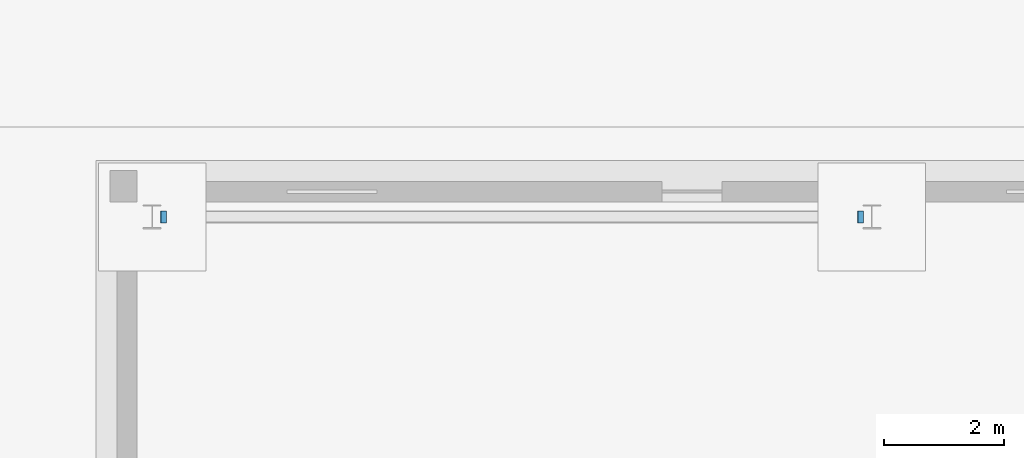
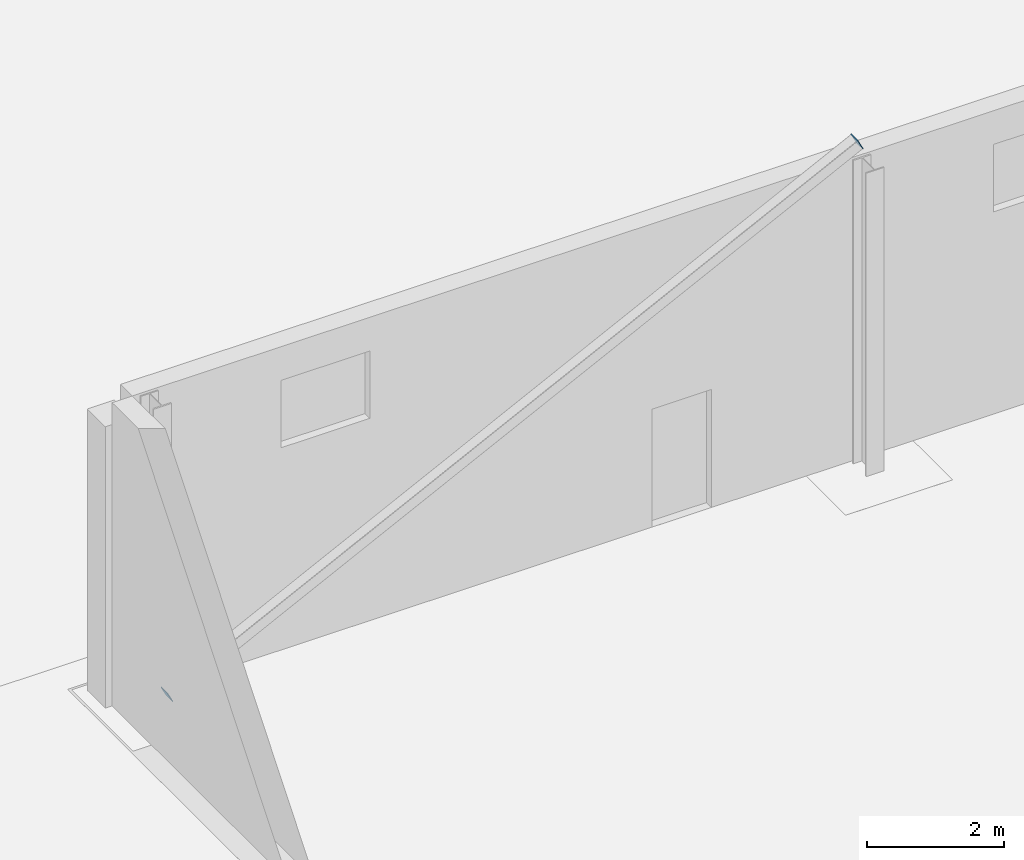
# One storey, part 116 of 132: 2 discrete accessories.
"""IFC4 building model written with IfcOpenShell, lengths in metres."""

import ifcopenshell
import ifcopenshell.guid

model = None  # the IFC model being written
_history = None  # IfcOwnerHistory: only IFC2X3 demands one
_inside = {}  # id of a spatial element -> (the spatial element, [elements in it])
_under = {}  # id of a project, library or spatial element -> (it, [spatial elements below it])
_declared = {}  # id of a project -> (the project, [libraries it declares])
_typed = {}  # id of a type object -> (the type object, [elements of that type])
_made_of = {}  # id of a material, layer set ... -> (it, [elements and type objects made of it])


def new_model(schema):
    """Start an empty IFC model of exactly this schema.

    Asked for "IFC4X3", IfcOpenShell would pick the latest addendum, in which some entities
    have other attributes; the version numbers below select the first issue.
    IFC2X3 requires an IfcOwnerHistory on every rooted entity: one is made here for all.
    """
    global model, _history
    if schema == "IFC4X3":
        model = ifcopenshell.file(schema_version=(4, 3, 0, 0))
    else:
        model = ifcopenshell.file(schema=schema)
    _inside.clear()
    _under.clear()
    _declared.clear()
    _typed.clear()
    _made_of.clear()
    _history = None
    if model.schema == "IFC2X3":
        org = make("IfcOrganization", Name="unknown")
        user = make(
            "IfcPersonAndOrganization",
            ThePerson=make("IfcPerson", FamilyName="unknown"),
            TheOrganization=org,
        )
        app = make(
            "IfcApplication",
            ApplicationDeveloper=org,
            Version="unknown",
            ApplicationFullName="unknown",
            ApplicationIdentifier="unknown",
        )
        _history = make(
            "IfcOwnerHistory",
            OwningUser=user,
            OwningApplication=app,
            ChangeAction="ADDED",
            CreationDate=0,
        )
    return model


def make(cls, **values):
    """One entity of the class cls with the attributes given. An attribute that is None is left unset."""
    return model.create_entity(
        cls, **{name: value for name, value in values.items() if value is not None}
    )


def rooted(cls, **values):
    """An entity with a GlobalId (a new one), such as an element, a storey or a relation."""
    return make(cls, GlobalId=ifcopenshell.guid.new(), OwnerHistory=_history, **values)


def si_unit(unit_type, name, prefix=None):
    """IfcSIUnit, for example si_unit("LENGTHUNIT", "METRE", prefix="MILLI")."""
    return make("IfcSIUnit", UnitType=unit_type, Prefix=prefix, Name=name)


def assignment(units):
    """IfcUnitAssignment: the units of a project."""
    return None if units is None else make("IfcUnitAssignment", Units=units)


def point(xyz):
    """IfcCartesianPoint."""
    return None if xyz is None else make("IfcCartesianPoint", Coordinates=xyz)


def direction(xyz):
    """IfcDirection."""
    return None if xyz is None else make("IfcDirection", DirectionRatios=xyz)


def frame(location, z_axis=None, x_axis=None):
    """IfcAxis2Placement3D, a coordinate frame: its origin and axes. An axis left out is left unset."""
    return make(
        "IfcAxis2Placement3D",
        Location=point(location),
        Axis=direction(z_axis),
        RefDirection=direction(x_axis),
    )


def frame_2d(location, x_axis=None):
    """IfcAxis2Placement2D, a coordinate frame in the plane: its origin and x axis."""
    return make(
        "IfcAxis2Placement2D", Location=point(location), RefDirection=direction(x_axis)
    )


def origin():
    """The frame at (0, 0, 0) with its axes left unset."""
    return frame((0.0, 0.0, 0.0))


def origin_2d():
    """The frame at (0, 0) in the plane with its x axis left unset."""
    return frame_2d((0.0, 0.0))


def place(relative_to, where):
    """IfcLocalPlacement: puts the frame where relative to a parent placement (None: the world)."""
    return make(
        "IfcLocalPlacement", PlacementRelTo=relative_to, RelativePlacement=where
    )


def context(
    kind, dimensions, precision=None, world=None, true_north=None, identifier=None
):
    """IfcGeometricRepresentationContext, for example the 3D "Model" context."""
    return make(
        "IfcGeometricRepresentationContext",
        ContextIdentifier=identifier,
        ContextType=kind,
        CoordinateSpaceDimension=dimensions,
        Precision=precision,
        WorldCoordinateSystem=world,
        TrueNorth=true_north,
    )


def subcontext(parent, identifier, kind, view, scale=None):
    """IfcGeometricRepresentationSubContext, for example "Body" below "Model"."""
    return make(
        "IfcGeometricRepresentationSubContext",
        ContextIdentifier=identifier,
        ContextType=kind,
        ParentContext=parent,
        TargetScale=scale,
        TargetView=view,
    )


def project(units=None, contexts=None):
    """IfcProject with its units and contexts."""
    return rooted(
        "IfcProject",
        Name="project",
        RepresentationContexts=contexts,
        UnitsInContext=assignment(units),
    )


def spatial(cls, under=None, at=None, **own):
    """A site, building, storey or space (cls), placed at a placement, below another one or the project."""
    s = rooted(cls, ObjectPlacement=at, **own)
    if under is not None:
        _under.setdefault(under.id(), (under, []))[1].append(s)
    return s


def profile(cls, at=None, kind="AREA", **sizes):
    """A parametric profile (cls). Its sizes go by their IFC names, for example OverallWidth=200.0."""
    return make(cls, ProfileType=kind, Position=at, **sizes)


def rectangle(**sizes):
    """IfcRectangleProfileDef."""
    return profile("IfcRectangleProfileDef", **sizes)


def extrude(swept, where, along, depth):
    """IfcExtrudedAreaSolid: the profile swept, set in the frame where, extruded along a direction by depth."""
    return make(
        "IfcExtrudedAreaSolid",
        SweptArea=swept,
        Position=where,
        ExtrudedDirection=direction(along),
        Depth=depth,
    )


def shape(context_of_items, identifier, shape_type, items):
    """IfcShapeRepresentation: the items that make up one representation, for example the "Body"."""
    return make(
        "IfcShapeRepresentation",
        ContextOfItems=context_of_items,
        RepresentationIdentifier=identifier,
        RepresentationType=shape_type,
        Items=items,
    )


def material(Name=None, Category=None):
    """IfcMaterial."""
    return make("IfcMaterial", Name=Name, Category=Category)


def material_profile(
    of_material, cross_section, Name=None, Category=None, Priority=None
):
    """IfcMaterialProfile: a cross section and its material."""
    return make(
        "IfcMaterialProfile",
        Name=Name,
        Material=of_material,
        Profile=cross_section,
        Priority=Priority,
        Category=Category,
    )


def profile_set(profiles, Name=None, composite=None):
    """IfcMaterialProfileSet."""
    return make(
        "IfcMaterialProfileSet",
        Name=Name,
        MaterialProfiles=profiles,
        CompositeProfile=composite,
    )


def made_of(thing, what):
    """Note that an element or type object is made of a material, layer set ...; save() writes the relation."""
    if what is not None:
        _made_of.setdefault(what.id(), (what, []))[1].append(thing)
    return thing


def type_object(cls, material=None, **own):
    """A type object (cls), such as IfcWallType, which elements share."""
    return made_of(rooted(cls, **own), material)


def element(
    cls,
    number,
    at=None,
    inside=None,
    cuts=None,
    type_object=None,
    material=None,
    context=None,
    identifier="Body",
    shape_type=None,
    held_by="IfcProductDefinitionShape",
    body=None,
    shapes=None,
    **own,
):
    """One element of the class cls, such as IfcWall. Its Tag is "e" and its number.

    at: its placement. inside: the storey or other place that contains it. cuts: it is an
    opening in that element (IfcRelVoidsElement). A single representation is given by context,
    identifier, shape_type and body (its items); several are given by shapes. held_by: the class
    of the entity that holds the representations. save() writes the other relations.
    """
    e = rooted(cls, Tag="e%d" % number, ObjectPlacement=at, **own)
    if body is not None:
        shapes = [shape(context, identifier, shape_type, body)]
    if shapes is not None:
        e.Representation = make(held_by, Representations=shapes)
    if inside is not None:
        _inside.setdefault(inside.id(), (inside, []))[1].append(e)
    if cuts is not None:
        rooted(
            "IfcRelVoidsElement", RelatingBuildingElement=cuts, RelatedOpeningElement=e
        )
    if type_object is not None:
        _typed.setdefault(type_object.id(), (type_object, []))[1].append(e)
    return made_of(e, material)


def aggregate(whole, parts):
    """IfcRelAggregates: a whole, such as a stair, and the parts it consists of."""
    return rooted("IfcRelAggregates", RelatingObject=whole, RelatedObjects=parts)


def save(model, path):
    """Write the relations noted so far, then the file.

    IfcRelAggregates (storeys below a building ...), IfcRelContainedInSpatialStructure (elements
    in a storey), IfcRelDefinesByType, IfcRelAssociatesMaterial and IfcRelDeclares: one each for
    every whole, place, type object, material and project.
    """
    for whole, parts in _under.values():
        aggregate(whole, parts)
    for where, things in _inside.values():
        rooted(
            "IfcRelContainedInSpatialStructure",
            RelatedElements=things,
            RelatingStructure=where,
        )
    for kind, things in _typed.values():
        rooted("IfcRelDefinesByType", RelatedObjects=things, RelatingType=kind)
    for what, things in _made_of.values():
        rooted("IfcRelAssociatesMaterial", RelatedObjects=things, RelatingMaterial=what)
    for by, libraries in _declared.values():
        rooted("IfcRelDeclares", RelatingContext=by, RelatedDefinitions=libraries)
    model.write(path)


model = new_model("IFC4")

# Units and contexts
model_context = context("Model", 3, precision=1e-05, world=origin(), true_north=direction((0.0, 1.0)))
body_context = subcontext(model_context, "Body", "Model", "MODEL_VIEW")
ifc_project = project(units=[si_unit("LENGTHUNIT", "METRE"), si_unit("AREAUNIT", "SQUARE_METRE"), si_unit("VOLUMEUNIT", "CUBIC_METRE"), si_unit("PLANEANGLEUNIT", "RADIAN"), si_unit("MASSUNIT", "GRAM", prefix="KILO")], contexts=[model_context])

# Site, building, storey
site_placement = place(None, origin())
site = spatial("IfcSite", under=ifc_project, at=site_placement, CompositionType="ELEMENT")
building_placement = place(site_placement, origin())
building = spatial("IfcBuilding", under=site, at=building_placement, Name="Ravi Spectrum Wholesale Market", CompositionType="ELEMENT")
storey_placement = place(building_placement, origin())
storey = spatial("IfcBuildingStorey", under=building, at=storey_placement, Name="L00", CompositionType="ELEMENT", Elevation=0.0)

# Discrete accessories
ifc_material = material(Name="Steel S355", Category="steel")
ifc_material_profile = material_profile(ifc_material, rectangle(XDim=0.199951171875, YDim=0.199951171875, at=origin_2d()))
ifc_profile_set = profile_set([ifc_material_profile], Name="Steel S355")
discrete_accessory_type = type_object("IfcDiscreteAccessoryType", Name="End plate SHS 200x200x8", PredefinedType="BRACKET", material=ifc_profile_set)
for number, where, z_axis, x_axis, name in (
    (1, (222.194580078125, 186.0, 0.089599609375), (-0.894427191, 0.0, -0.4472135955), (0.0, -1.0, 0.0), "End plate"),
    (2, (233.805419921875, 186.0, 5.857421875), (0.894427191, 0.0, 0.4472135955), (0.0, 1.0, 0.0), "End plate"),
):
    element("IfcDiscreteAccessory", number, at=place(storey_placement, frame(where, z_axis=z_axis, x_axis=x_axis)), inside=storey, type_object=discrete_accessory_type, Name=name, PredefinedType="BRACKET", context=body_context, shape_type="SweptSolid", body=[
        extrude(rectangle(XDim=0.199951171875, YDim=0.199951171875, at=origin_2d()), origin(), (0.0, 0.0, 1.0), 0.011962890625),
    ])

save(model, "model.ifc")
